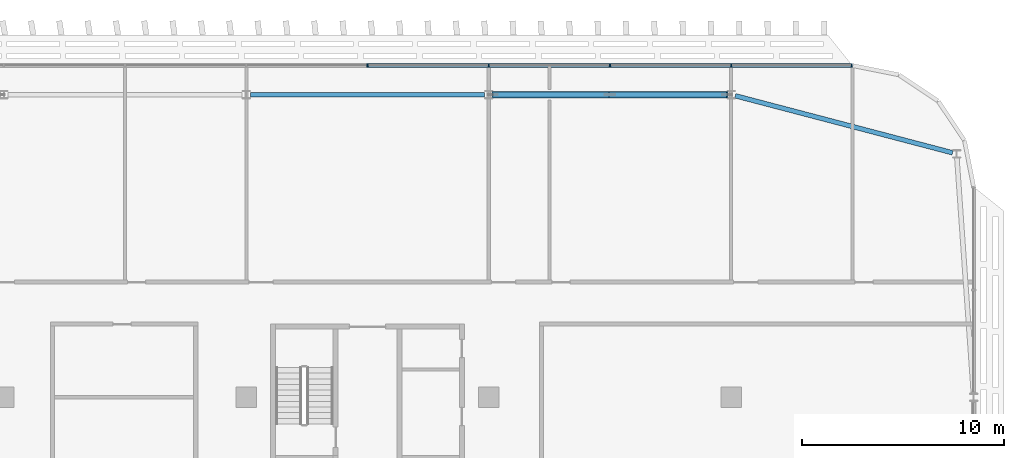
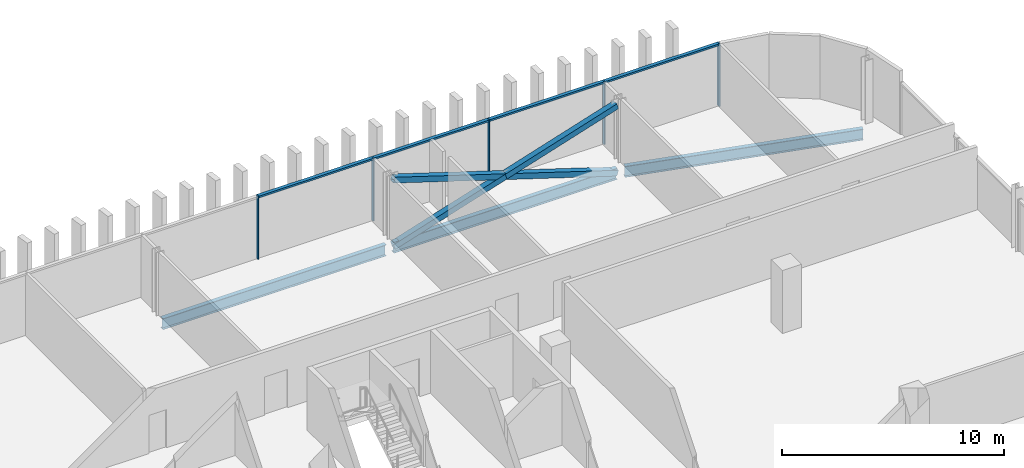
# One storey, part 14 of 32: 12 members, 3 beams, 1 element without a shape of its own.
"""IFC4 building model written with IfcOpenShell, lengths in metres."""

from ifc_helpers import new_model, si_unit, direction, frame, origin, origin_2d, place, context, subcontext, project, spatial, rectangle, hollow_rectangle, i_section, extrude, material, material_profile, profile_set, type_object, element, aggregate, save


model = new_model("IFC4")

# Units and contexts
model_context = context("Model", 3, precision=1e-05, world=origin(), true_north=direction((0.0, 1.0)))
body_context = subcontext(model_context, "Body", "Model", "MODEL_VIEW")
ifc_project = project(units=[si_unit("LENGTHUNIT", "METRE"), si_unit("AREAUNIT", "SQUARE_METRE"), si_unit("VOLUMEUNIT", "CUBIC_METRE"), si_unit("PLANEANGLEUNIT", "RADIAN"), si_unit("MASSUNIT", "GRAM", prefix="KILO")], contexts=[model_context])

# Site, building, storey
site_placement = place(None, origin())
site = spatial("IfcSite", under=ifc_project, at=site_placement, CompositionType="ELEMENT")
building_placement = place(site_placement, origin())
building = spatial("IfcBuilding", under=site, at=building_placement, Name="Mahtab Terrace Research Tower", CompositionType="ELEMENT")
storey_placement = place(building_placement, frame((0.0, 0.0, 240.0)))
storey = spatial("IfcBuildingStorey", under=building, at=storey_placement, Name="L58", CompositionType="ELEMENT", Elevation=240.0)

# Members
ifc_material_1 = material(Name="Steel ASTM A500 Gr C", Category="steel")
ifc_material_profile_1 = material_profile(ifc_material_1, hollow_rectangle(XDim=0.3046875, YDim=0.3046875, WallThickness=0.015869140625, at=origin_2d()), Name="HSS12X12X5/8")
ifc_profile_set_1 = profile_set([ifc_material_profile_1], Name="Steel ASTM A500 Gr C")
member_type_1 = type_object("IfcMemberType", Name="HSS 12x12x5/8 brace XB121258", PredefinedType="BRACE", material=ifc_profile_set_1)
member_1_placement = place(storey_placement, frame((41.800537109375, 26.472900390625, -0.580322265625), z_axis=(-0.953344342533, 0.0, 0.301885018774), x_axis=(0.0, -1.0, 0.0)))
element("IfcMember", 1, at=member_1_placement, inside=storey, type_object=member_type_1, Name="Exoskeleton brace L58 02 a", PredefinedType="BRACE", context=body_context, shape_type="SweptSolid", body=[
    extrude(hollow_rectangle(XDim=0.3046875, YDim=0.3046875, WallThickness=0.015869140625, at=origin_2d()), origin(), (0.0, 0.0, 1.0), 12.168701171875),
])
for number, where, z_axis, x_axis, name in (
    (2, (30.199462890625, 26.472900390625, -0.580322265625), (0.953350116476, 0.0, 0.301866784219), (0.0, 1.0, 0.0), "Exoskeleton brace L58 02 b1"),
    (3, (36.0, 26.472900390625, 1.25634765625), (0.953338568311, 0.0, 0.301903252998), (0.0, 1.0, 0.0), "Exoskeleton brace L58 02 b2"),
):
    element("IfcMember", number, at=place(storey_placement, frame(where, z_axis=z_axis, x_axis=x_axis)), inside=storey, type_object=member_type_1, Name=name, PredefinedType="BRACE", context=body_context, shape_type="SweptSolid", body=[
        extrude(hollow_rectangle(XDim=0.3046875, YDim=0.3046875, WallThickness=0.015869140625, at=origin_2d()), origin(), (0.0, 0.0, 1.0), 6.08447265625),
    ])

# Curtain wall, members
ifc_material_2 = material(Name="Office ribbon curtain wall")
curtain_wall_type = type_object("IfcCurtainWallType", Name="Office ribbon curtain wall", PredefinedType="NOTDEFINED", material=ifc_material_2)
curtain_wall_placement = place(storey_placement, origin())
curtain_wall = element("IfcCurtainWall", 4, at=curtain_wall_placement, inside=storey, type_object=curtain_wall_type, Name="EN.L58.3.3", PredefinedType="NOTDEFINED")
ifc_material_3 = material(Name="Natural anodised aluminium", Category="aluminium")
ifc_material_profile_2 = material_profile(ifc_material_3, rectangle(XDim=0.179931640625, YDim=0.06005859375, at=origin_2d()), Name="MULLION 60x180")
ifc_profile_set_2 = profile_set([ifc_material_profile_2], Name="Natural anodised aluminium")
member_type_2 = type_object("IfcMemberType", Name="Office ribbon curtain wall mullion", PredefinedType="MULLION", material=ifc_profile_set_2)
member_2_placement = place(storey_placement, frame((47.969970703125, 27.9169921875, 0.0), z_axis=(0.0, 0.0, 1.0), x_axis=(0.0, -1.0, 0.0)))
member_2 = element("IfcMember", 5, at=member_2_placement, type_object=member_type_2, Name="CWO-7 mullion 1", PredefinedType="MULLION", context=body_context, shape_type="SweptSolid", body=[
    extrude(rectangle(XDim=0.179931640625, YDim=0.06005859375, at=origin_2d()), origin(), (0.0, 0.0, 1.0), 3.4599609375),
])
member_3_placement = place(storey_placement, frame((42.0, 27.9169921875, 0.0), z_axis=(0.0, 0.0, 1.0), x_axis=(0.0, -1.0, 0.0)))
member_3 = element("IfcMember", 6, at=member_3_placement, type_object=member_type_2, Name="CWO-7 mullion 2", PredefinedType="MULLION", context=body_context, shape_type="SweptSolid", body=[
    extrude(rectangle(XDim=0.179931640625, YDim=0.06005859375, at=origin_2d()), origin(), (0.0, 0.0, 1.0), 3.4599609375),
])
member_4_placement = place(storey_placement, frame((36.0, 27.9169921875, 0.0), z_axis=(0.0, 0.0, 1.0), x_axis=(0.0, -1.0, 0.0)))
member_4 = element("IfcMember", 7, at=member_4_placement, type_object=member_type_2, Name="CWO-7 mullion 3", PredefinedType="MULLION", context=body_context, shape_type="SweptSolid", body=[
    extrude(rectangle(XDim=0.179931640625, YDim=0.06005859375, at=origin_2d()), origin(), (0.0, 0.0, 1.0), 3.4599609375),
])
member_5_placement = place(storey_placement, frame((30.0, 27.9169921875, 0.0), z_axis=(0.0, 0.0, 1.0), x_axis=(0.0, -1.0, 0.0)))
member_5 = element("IfcMember", 8, at=member_5_placement, type_object=member_type_2, Name="CWO-7 mullion 4", PredefinedType="MULLION", context=body_context, shape_type="SweptSolid", body=[
    extrude(rectangle(XDim=0.179931640625, YDim=0.06005859375, at=origin_2d()), origin(), (0.0, 0.0, 1.0), 3.4599609375),
])
member_6_placement = place(storey_placement, frame((24.0, 27.9169921875, 0.0), z_axis=(0.0, 0.0, 1.0), x_axis=(0.0, -1.0, 0.0)))
member_6 = element("IfcMember", 9, at=member_6_placement, type_object=member_type_2, Name="CWO-7 mullion 5", PredefinedType="MULLION", context=body_context, shape_type="SweptSolid", body=[
    extrude(rectangle(XDim=0.179931640625, YDim=0.06005859375, at=origin_2d()), origin(), (0.0, 0.0, 1.0), 3.4599609375),
])
ifc_material_profile_3 = material_profile(ifc_material_3, rectangle(XDim=0.179931640625, YDim=0.10009765625, at=origin_2d()), Name="TRANSOM 100x180")
ifc_profile_set_3 = profile_set([ifc_material_profile_3], Name="Natural anodised aluminium")
member_type_3 = type_object("IfcMemberType", Name="Office ribbon curtain wall transom", PredefinedType="USERDEFINED", material=ifc_profile_set_3)
member_7_placement = place(storey_placement, frame((47.93994140625, 27.9169921875, 3.409912109375), z_axis=(-1.0, 0.0, 0.0), x_axis=(0.0, -1.0, 0.0)))
member_7 = element("IfcMember", 10, at=member_7_placement, type_object=member_type_3, Name="CWO-7 transom 1", ObjectType="TRANSOM", PredefinedType="USERDEFINED", context=body_context, shape_type="SweptSolid", body=[
    extrude(rectangle(XDim=0.179931640625, YDim=0.10009765625, at=origin_2d()), origin(), (0.0, 0.0, 1.0), 5.909912109375),
])
member_8_placement = place(storey_placement, frame((41.969970703125, 27.9169921875, 3.409912109375), z_axis=(-1.0, 0.0, 0.0), x_axis=(0.0, -1.0, 0.0)))
member_8 = element("IfcMember", 11, at=member_8_placement, type_object=member_type_3, Name="CWO-7 transom 2", ObjectType="TRANSOM", PredefinedType="USERDEFINED", context=body_context, shape_type="SweptSolid", body=[
    extrude(rectangle(XDim=0.179931640625, YDim=0.10009765625, at=origin_2d()), origin(), (0.0, 0.0, 1.0), 5.93994140625),
])
member_9_placement = place(storey_placement, frame((35.969970703125, 27.9169921875, 3.409912109375), z_axis=(-1.0, 0.0, 0.0), x_axis=(0.0, -1.0, 0.0)))
member_9 = element("IfcMember", 12, at=member_9_placement, type_object=member_type_3, Name="CWO-7 transom 3", ObjectType="TRANSOM", PredefinedType="USERDEFINED", context=body_context, shape_type="SweptSolid", body=[
    extrude(rectangle(XDim=0.179931640625, YDim=0.10009765625, at=origin_2d()), origin(), (0.0, 0.0, 1.0), 5.93994140625),
])
member_10_placement = place(storey_placement, frame((29.969970703125, 27.9169921875, 3.409912109375), z_axis=(-1.0, 0.0, 0.0), x_axis=(0.0, -1.0, 0.0)))
member_10 = element("IfcMember", 13, at=member_10_placement, type_object=member_type_3, Name="CWO-7 transom 4", ObjectType="TRANSOM", PredefinedType="USERDEFINED", context=body_context, shape_type="SweptSolid", body=[
    extrude(rectangle(XDim=0.179931640625, YDim=0.10009765625, at=origin_2d()), origin(), (0.0, 0.0, 1.0), 5.93994140625),
])
aggregate(curtain_wall, [member_2, member_3, member_4, member_5, member_6, member_7, member_8, member_9, member_10])

# Beams
ifc_material_4 = material(Name="Steel ASTM A992 Gr 50", Category="steel")
ifc_material_profile_4 = material_profile(ifc_material_4, i_section(OverallWidth=0.228271484375, OverallDepth=0.607177734375, WebThickness=0.01123046875, FlangeThickness=0.017333984375, at=origin_2d()), Name="W24X76")
ifc_profile_set_4 = profile_set([ifc_material_profile_4], Name="Steel ASTM A992 Gr 50")
beam_type = type_object("IfcBeamType", Name="W24x76 beam BS2476", PredefinedType="BEAM", material=ifc_profile_set_4)
beam_placement = place(storey_placement, frame((52.95458984375, 23.598388671875, -0.6435546875), z_axis=(-0.967252058434, 0.253817760323, 0.0), x_axis=(-0.253817760323, -0.967252058434, 0.0)))
element("IfcBeam", 14, at=beam_placement, inside=storey, type_object=beam_type, Name="Spandrel beam L58 01", PredefinedType="BEAM", context=body_context, shape_type="SweptSolid", body=[
    extrude(i_section(OverallWidth=0.228271484375, OverallDepth=0.607177734375, WebThickness=0.01123046875, FlangeThickness=0.017333984375, at=origin_2d()), origin(), (0.0, 0.0, 1.0), 11.119140625),
])
for number, where, z_axis, x_axis, name in (
    (15, (41.800537109375, 26.472900390625, -0.6435546875), (-1.0, 0.0, 0.0), (0.0, -1.0, 0.0), "Spandrel beam L58 02"),
    (16, (29.800537109375, 26.472900390625, -0.6435546875), (-1.0, 0.0, 0.0), (0.0, -1.0, 0.0), "Spandrel beam L58 03"),
):
    element("IfcBeam", number, at=place(storey_placement, frame(where, z_axis=z_axis, x_axis=x_axis)), inside=storey, type_object=beam_type, Name=name, PredefinedType="BEAM", context=body_context, shape_type="SweptSolid", body=[
        extrude(i_section(OverallWidth=0.228271484375, OverallDepth=0.607177734375, WebThickness=0.01123046875, FlangeThickness=0.017333984375, at=origin_2d()), origin(), (0.0, 0.0, 1.0), 11.60107421875),
    ])

save(model, "model.ifc")
